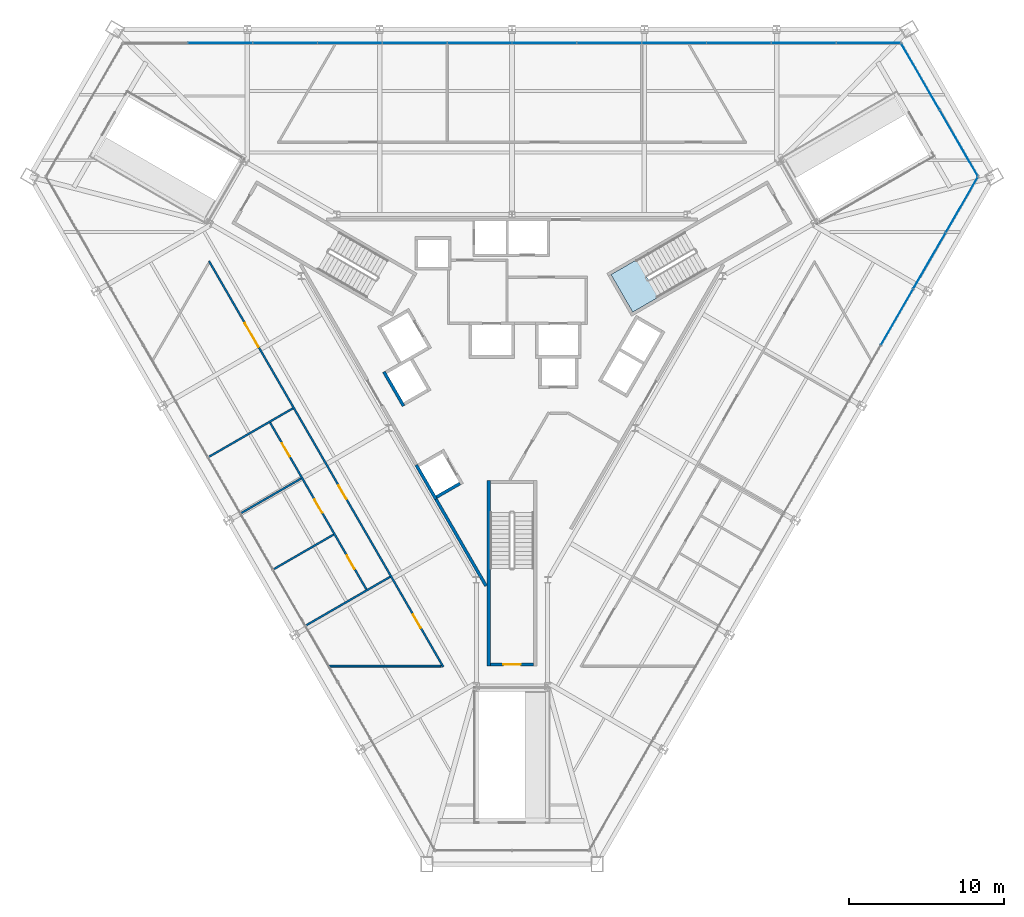
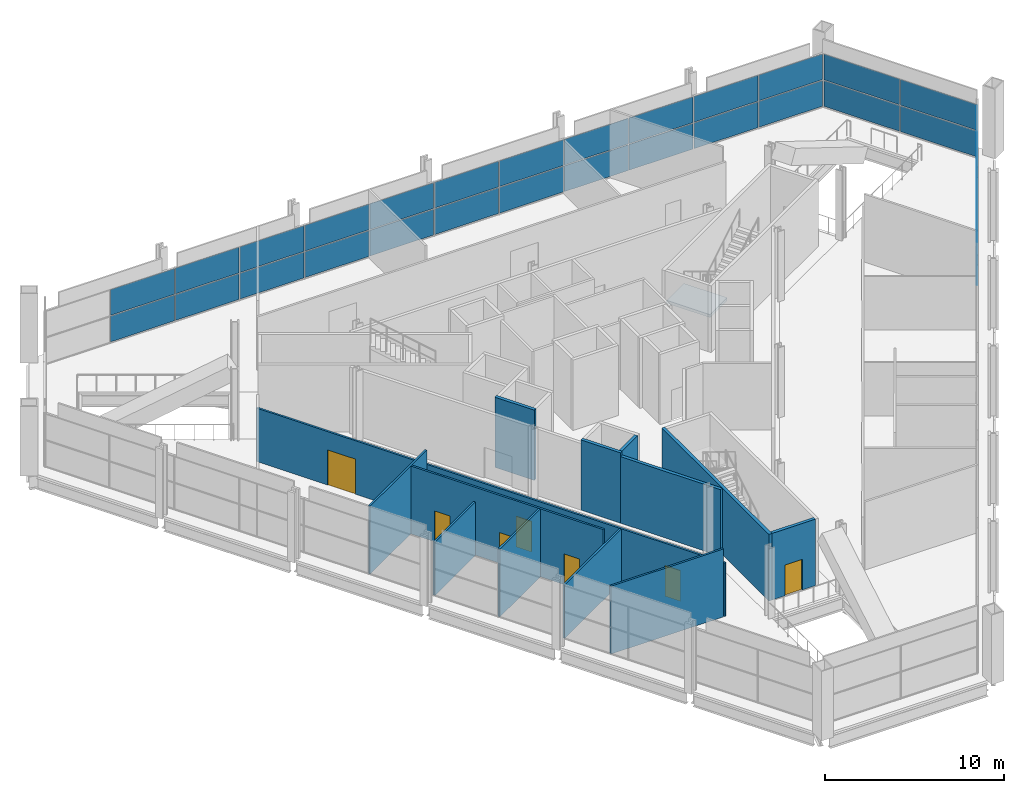
# One storey, part 12 of 18: 32 plates, 13 walls, 7 doors, 1 slab, 7 openings, 4 elements without a shape of their own.
"""IFC4 building model written with IfcOpenShell, lengths in metres."""

import ifcopenshell
import ifcopenshell.guid

model = None  # the IFC model being written
_history = None  # IfcOwnerHistory: only IFC2X3 demands one
_inside = {}  # id of a spatial element -> (the spatial element, [elements in it])
_under = {}  # id of a project, library or spatial element -> (it, [spatial elements below it])
_declared = {}  # id of a project -> (the project, [libraries it declares])
_typed = {}  # id of a type object -> (the type object, [elements of that type])
_made_of = {}  # id of a material, layer set ... -> (it, [elements and type objects made of it])


def new_model(schema):
    """Start an empty IFC model of exactly this schema.

    Asked for "IFC4X3", IfcOpenShell would pick the latest addendum, in which some entities
    have other attributes; the version numbers below select the first issue.
    IFC2X3 requires an IfcOwnerHistory on every rooted entity: one is made here for all.
    """
    global model, _history
    if schema == "IFC4X3":
        model = ifcopenshell.file(schema_version=(4, 3, 0, 0))
    else:
        model = ifcopenshell.file(schema=schema)
    _inside.clear()
    _under.clear()
    _declared.clear()
    _typed.clear()
    _made_of.clear()
    _history = None
    if model.schema == "IFC2X3":
        org = make("IfcOrganization", Name="unknown")
        user = make(
            "IfcPersonAndOrganization",
            ThePerson=make("IfcPerson", FamilyName="unknown"),
            TheOrganization=org,
        )
        app = make(
            "IfcApplication",
            ApplicationDeveloper=org,
            Version="unknown",
            ApplicationFullName="unknown",
            ApplicationIdentifier="unknown",
        )
        _history = make(
            "IfcOwnerHistory",
            OwningUser=user,
            OwningApplication=app,
            ChangeAction="ADDED",
            CreationDate=0,
        )
    return model


def make(cls, **values):
    """One entity of the class cls with the attributes given. An attribute that is None is left unset."""
    return model.create_entity(
        cls, **{name: value for name, value in values.items() if value is not None}
    )


def rooted(cls, **values):
    """An entity with a GlobalId (a new one), such as an element, a storey or a relation."""
    return make(cls, GlobalId=ifcopenshell.guid.new(), OwnerHistory=_history, **values)


def si_unit(unit_type, name, prefix=None):
    """IfcSIUnit, for example si_unit("LENGTHUNIT", "METRE", prefix="MILLI")."""
    return make("IfcSIUnit", UnitType=unit_type, Prefix=prefix, Name=name)


def assignment(units):
    """IfcUnitAssignment: the units of a project."""
    return None if units is None else make("IfcUnitAssignment", Units=units)


def point(xyz):
    """IfcCartesianPoint."""
    return None if xyz is None else make("IfcCartesianPoint", Coordinates=xyz)


def direction(xyz):
    """IfcDirection."""
    return None if xyz is None else make("IfcDirection", DirectionRatios=xyz)


def frame(location, z_axis=None, x_axis=None):
    """IfcAxis2Placement3D, a coordinate frame: its origin and axes. An axis left out is left unset."""
    return make(
        "IfcAxis2Placement3D",
        Location=point(location),
        Axis=direction(z_axis),
        RefDirection=direction(x_axis),
    )


def frame_2d(location, x_axis=None):
    """IfcAxis2Placement2D, a coordinate frame in the plane: its origin and x axis."""
    return make(
        "IfcAxis2Placement2D", Location=point(location), RefDirection=direction(x_axis)
    )


def origin():
    """The frame at (0, 0, 0) with its axes left unset."""
    return frame((0.0, 0.0, 0.0))


def origin_2d():
    """The frame at (0, 0) in the plane with its x axis left unset."""
    return frame_2d((0.0, 0.0))


def place(relative_to, where):
    """IfcLocalPlacement: puts the frame where relative to a parent placement (None: the world)."""
    return make(
        "IfcLocalPlacement", PlacementRelTo=relative_to, RelativePlacement=where
    )


def context(
    kind, dimensions, precision=None, world=None, true_north=None, identifier=None
):
    """IfcGeometricRepresentationContext, for example the 3D "Model" context."""
    return make(
        "IfcGeometricRepresentationContext",
        ContextIdentifier=identifier,
        ContextType=kind,
        CoordinateSpaceDimension=dimensions,
        Precision=precision,
        WorldCoordinateSystem=world,
        TrueNorth=true_north,
    )


def subcontext(parent, identifier, kind, view, scale=None):
    """IfcGeometricRepresentationSubContext, for example "Body" below "Model"."""
    return make(
        "IfcGeometricRepresentationSubContext",
        ContextIdentifier=identifier,
        ContextType=kind,
        ParentContext=parent,
        TargetScale=scale,
        TargetView=view,
    )


def project(units=None, contexts=None):
    """IfcProject with its units and contexts."""
    return rooted(
        "IfcProject",
        Name="project",
        RepresentationContexts=contexts,
        UnitsInContext=assignment(units),
    )


def spatial(cls, under=None, at=None, **own):
    """A site, building, storey or space (cls), placed at a placement, below another one or the project."""
    s = rooted(cls, ObjectPlacement=at, **own)
    if under is not None:
        _under.setdefault(under.id(), (under, []))[1].append(s)
    return s


def polyline(points):
    """IfcPolyline through the points."""
    return make("IfcPolyline", Points=[point(p) for p in points])


def profile(cls, at=None, kind="AREA", **sizes):
    """A parametric profile (cls). Its sizes go by their IFC names, for example OverallWidth=200.0."""
    return make(cls, ProfileType=kind, Position=at, **sizes)


def rectangle(**sizes):
    """IfcRectangleProfileDef."""
    return profile("IfcRectangleProfileDef", **sizes)


def outline(outer, holes=None, kind="AREA"):
    """IfcArbitraryClosedProfileDef: a profile drawn as a closed curve; with holes, ...WithVoids."""
    if holes is None:
        return make("IfcArbitraryClosedProfileDef", ProfileType=kind, OuterCurve=outer)
    return make(
        "IfcArbitraryProfileDefWithVoids",
        ProfileType=kind,
        OuterCurve=outer,
        InnerCurves=holes,
    )


def extrude(swept, where, along, depth):
    """IfcExtrudedAreaSolid: the profile swept, set in the frame where, extruded along a direction by depth."""
    return make(
        "IfcExtrudedAreaSolid",
        SweptArea=swept,
        Position=where,
        ExtrudedDirection=direction(along),
        Depth=depth,
    )


def shape(context_of_items, identifier, shape_type, items):
    """IfcShapeRepresentation: the items that make up one representation, for example the "Body"."""
    return make(
        "IfcShapeRepresentation",
        ContextOfItems=context_of_items,
        RepresentationIdentifier=identifier,
        RepresentationType=shape_type,
        Items=items,
    )


def material(Name=None, Category=None):
    """IfcMaterial."""
    return make("IfcMaterial", Name=Name, Category=Category)


def layer(
    of_material, thickness, ventilated=None, Name=None, Category=None, Priority=None
):
    """IfcMaterialLayer: one layer of a wall or slab, of a material (None: an air gap)."""
    return make(
        "IfcMaterialLayer",
        Material=of_material,
        LayerThickness=thickness,
        IsVentilated=ventilated,
        Name=Name,
        Category=Category,
        Priority=Priority,
    )


def layer_set(layers, Name=None):
    """IfcMaterialLayerSet."""
    return make("IfcMaterialLayerSet", MaterialLayers=layers, LayerSetName=Name)


def made_of(thing, what):
    """Note that an element or type object is made of a material, layer set ...; save() writes the relation."""
    if what is not None:
        _made_of.setdefault(what.id(), (what, []))[1].append(thing)
    return thing


def type_object(cls, material=None, **own):
    """A type object (cls), such as IfcWallType, which elements share."""
    return made_of(rooted(cls, **own), material)


def element(
    cls,
    number,
    at=None,
    inside=None,
    cuts=None,
    type_object=None,
    material=None,
    context=None,
    identifier="Body",
    shape_type=None,
    held_by="IfcProductDefinitionShape",
    body=None,
    shapes=None,
    **own,
):
    """One element of the class cls, such as IfcWall. Its Tag is "e" and its number.

    at: its placement. inside: the storey or other place that contains it. cuts: it is an
    opening in that element (IfcRelVoidsElement). A single representation is given by context,
    identifier, shape_type and body (its items); several are given by shapes. held_by: the class
    of the entity that holds the representations. save() writes the other relations.
    """
    e = rooted(cls, Tag="e%d" % number, ObjectPlacement=at, **own)
    if body is not None:
        shapes = [shape(context, identifier, shape_type, body)]
    if shapes is not None:
        e.Representation = make(held_by, Representations=shapes)
    if inside is not None:
        _inside.setdefault(inside.id(), (inside, []))[1].append(e)
    if cuts is not None:
        rooted(
            "IfcRelVoidsElement", RelatingBuildingElement=cuts, RelatedOpeningElement=e
        )
    if type_object is not None:
        _typed.setdefault(type_object.id(), (type_object, []))[1].append(e)
    return made_of(e, material)


def fill(opening, filler):
    """IfcRelFillsElement: the door or window that sits in an opening."""
    return rooted(
        "IfcRelFillsElement",
        RelatingOpeningElement=opening,
        RelatedBuildingElement=filler,
    )


def aggregate(whole, parts):
    """IfcRelAggregates: a whole, such as a stair, and the parts it consists of."""
    return rooted("IfcRelAggregates", RelatingObject=whole, RelatedObjects=parts)


def save(model, path):
    """Write the relations noted so far, then the file.

    IfcRelAggregates (storeys below a building ...), IfcRelContainedInSpatialStructure (elements
    in a storey), IfcRelDefinesByType, IfcRelAssociatesMaterial and IfcRelDeclares: one each for
    every whole, place, type object, material and project.
    """
    for whole, parts in _under.values():
        aggregate(whole, parts)
    for where, things in _inside.values():
        rooted(
            "IfcRelContainedInSpatialStructure",
            RelatedElements=things,
            RelatingStructure=where,
        )
    for kind, things in _typed.values():
        rooted("IfcRelDefinesByType", RelatedObjects=things, RelatingType=kind)
    for what, things in _made_of.values():
        rooted("IfcRelAssociatesMaterial", RelatedObjects=things, RelatingMaterial=what)
    for by, libraries in _declared.values():
        rooted("IfcRelDeclares", RelatingContext=by, RelatedDefinitions=libraries)
    model.write(path)


model = new_model("IFC4")

# Units and contexts
model_context = context("Model", 3, precision=1e-05, world=origin(), true_north=direction((0.0, 1.0)))
body_context = subcontext(model_context, "Body", "Model", "MODEL_VIEW")
ifc_project = project(units=[si_unit("LENGTHUNIT", "METRE"), si_unit("AREAUNIT", "SQUARE_METRE"), si_unit("VOLUMEUNIT", "CUBIC_METRE"), si_unit("PLANEANGLEUNIT", "RADIAN"), si_unit("MASSUNIT", "GRAM", prefix="KILO")], contexts=[model_context])

# Site, building, storey
site_placement = place(None, origin())
site = spatial("IfcSite", under=ifc_project, at=site_placement, CompositionType="ELEMENT")
building_placement = place(site_placement, origin())
building = spatial("IfcBuilding", under=site, at=building_placement, Name="Verrane Prism Tower", CompositionType="ELEMENT")
storey_placement = place(building_placement, frame((0.0, 0.0, 27.199951171875)))
storey = spatial("IfcBuildingStorey", under=building, at=storey_placement, Name="L04", CompositionType="ELEMENT", Elevation=27.199951171875)

# Curtain wall, plates
ifc_material_1 = material(Name="Aluminium and glass curtain wall", Category="aluminium")
ifc_layer_1 = layer(ifc_material_1, 0.199951171875)
ifc_layer_set_1 = layer_set([ifc_layer_1], Name="CWB-1 retail curtain wall")
curtain_wall_type = type_object("IfcCurtainWallType", Name="CWB-1 retail curtain wall", PredefinedType="NOTDEFINED", material=ifc_layer_set_1)
curtain_wall_1_placement = place(storey_placement, origin())
curtain_wall_1 = element("IfcCurtainWall", 1, at=curtain_wall_1_placement, inside=storey, type_object=curtain_wall_type, Name="Retail curtain wall L04 1", PredefinedType="NOTDEFINED")
ifc_material_2 = material(Name="Glass double glazed low-e", Category="glass")
ifc_layer_2 = layer(ifc_material_2, 0.028076171875)
ifc_layer_set_2 = layer_set([ifc_layer_2], Name="CWB-P 28 mm low-e glass panel")
plate_type = type_object("IfcPlateType", Name="CWB-P 28 mm low-e glass panel", PredefinedType="CURTAIN_PANEL", material=ifc_layer_set_2)
plate_1_placement = place(storey_placement, frame((28.875732421875, 13.813232421875, 0.06005859375), z_axis=(0.0, 0.0, 1.0), x_axis=(-0.499999190758, 0.866025871, 0.0)))
plate_1 = element("IfcPlate", 2, at=plate_1_placement, type_object=plate_type, Name="CWB41 panel 1.1", PredefinedType="CURTAIN_PANEL", context=body_context, shape_type="SweptSolid", body=[
    extrude(rectangle(XDim=4.890380859375, YDim=0.028076171875, at=origin_2d()), origin(), (0.0, 0.0, 1.0), 1.7548828125),
])
plate_2_placement = place(storey_placement, frame((28.875732421875, 13.813232421875, 1.875), z_axis=(0.0, 0.0, 1.0), x_axis=(-0.499999190758, 0.866025871, 0.0)))
plate_2 = element("IfcPlate", 3, at=plate_2_placement, type_object=plate_type, Name="CWB41 panel 1.2", PredefinedType="CURTAIN_PANEL", context=body_context, shape_type="SweptSolid", body=[
    extrude(rectangle(XDim=4.890380859375, YDim=0.028076171875, at=origin_2d()), origin(), (0.0, 0.0, 1.0), 1.7548828125),
])
plate_3_placement = place(storey_placement, frame((26.400390625, 18.100341796875, 0.06005859375), z_axis=(0.0, 0.0, 1.0), x_axis=(-0.499999190758, 0.866025871, 0.0)))
plate_3 = element("IfcPlate", 4, at=plate_3_placement, type_object=plate_type, Name="CWB41 panel 2.1", PredefinedType="CURTAIN_PANEL", context=body_context, shape_type="SweptSolid", body=[
    extrude(rectangle(XDim=4.890380859375, YDim=0.028076171875, at=origin_2d()), origin(), (0.0, 0.0, 1.0), 1.7548828125),
])
plate_4_placement = place(storey_placement, frame((26.400390625, 18.100341796875, 1.875), z_axis=(0.0, 0.0, 1.0), x_axis=(-0.499999190758, 0.866025871, 0.0)))
plate_4 = element("IfcPlate", 5, at=plate_4_placement, type_object=plate_type, Name="CWB41 panel 2.2", PredefinedType="CURTAIN_PANEL", context=body_context, shape_type="SweptSolid", body=[
    extrude(rectangle(XDim=4.890380859375, YDim=0.028076171875, at=origin_2d()), origin(), (0.0, 0.0, 1.0), 1.7548828125),
])
aggregate(curtain_wall_1, [plate_1, plate_2, plate_3, plate_4])

curtain_wall_2_placement = place(storey_placement, origin())
curtain_wall_2 = element("IfcCurtainWall", 6, at=curtain_wall_2_placement, inside=storey, type_object=curtain_wall_type, Name="Retail curtain wall L04 2", PredefinedType="NOTDEFINED")
plate_5_placement = place(storey_placement, frame((23.037109375, 20.27001953125, 0.06005859375), z_axis=(0.0, 0.0, 1.0), x_axis=(-1.0, 0.0, 0.0)))
plate_5 = element("IfcPlate", 7, at=plate_5_placement, type_object=plate_type, Name="CWB42 panel 1.1", PredefinedType="CURTAIN_PANEL", context=body_context, shape_type="SweptSolid", body=[
    extrude(rectangle(XDim=4.101318359375, YDim=0.028076171875, at=origin_2d()), origin(), (0.0, 0.0, 1.0), 1.7548828125),
])
plate_6_placement = place(storey_placement, frame((23.037109375, 20.27001953125, 1.875), z_axis=(0.0, 0.0, 1.0), x_axis=(-1.0, 0.0, 0.0)))
plate_6 = element("IfcPlate", 8, at=plate_6_placement, type_object=plate_type, Name="CWB42 panel 1.2", PredefinedType="CURTAIN_PANEL", context=body_context, shape_type="SweptSolid", body=[
    extrude(rectangle(XDim=4.101318359375, YDim=0.028076171875, at=origin_2d()), origin(), (0.0, 0.0, 1.0), 1.7548828125),
])
plate_7_placement = place(storey_placement, frame((18.86083984375, 20.27001953125, 0.06005859375), z_axis=(0.0, 0.0, 1.0), x_axis=(-1.0, 0.0, 0.0)))
plate_7 = element("IfcPlate", 9, at=plate_7_placement, type_object=plate_type, Name="CWB42 panel 2.1", PredefinedType="CURTAIN_PANEL", context=body_context, shape_type="SweptSolid", body=[
    extrude(rectangle(XDim=4.13134765625, YDim=0.028076171875, at=origin_2d()), origin(), (0.0, 0.0, 1.0), 1.7548828125),
])
plate_8_placement = place(storey_placement, frame((18.86083984375, 20.27001953125, 1.875), z_axis=(0.0, 0.0, 1.0), x_axis=(-1.0, 0.0, 0.0)))
plate_8 = element("IfcPlate", 10, at=plate_8_placement, type_object=plate_type, Name="CWB42 panel 2.2", PredefinedType="CURTAIN_PANEL", context=body_context, shape_type="SweptSolid", body=[
    extrude(rectangle(XDim=4.13134765625, YDim=0.028076171875, at=origin_2d()), origin(), (0.0, 0.0, 1.0), 1.7548828125),
])
plate_9_placement = place(storey_placement, frame((14.669677734375, 20.27001953125, 0.06005859375), z_axis=(0.0, 0.0, 1.0), x_axis=(-1.0, 0.0, 0.0)))
plate_9 = element("IfcPlate", 11, at=plate_9_placement, type_object=plate_type, Name="CWB42 panel 3.1", PredefinedType="CURTAIN_PANEL", context=body_context, shape_type="SweptSolid", body=[
    extrude(rectangle(XDim=4.13134765625, YDim=0.028076171875, at=origin_2d()), origin(), (0.0, 0.0, 1.0), 1.7548828125),
])
plate_10_placement = place(storey_placement, frame((14.669677734375, 20.27001953125, 1.875), z_axis=(0.0, 0.0, 1.0), x_axis=(-1.0, 0.0, 0.0)))
plate_10 = element("IfcPlate", 12, at=plate_10_placement, type_object=plate_type, Name="CWB42 panel 3.2", PredefinedType="CURTAIN_PANEL", context=body_context, shape_type="SweptSolid", body=[
    extrude(rectangle(XDim=4.13134765625, YDim=0.028076171875, at=origin_2d()), origin(), (0.0, 0.0, 1.0), 1.7548828125),
])
plate_11_placement = place(storey_placement, frame((10.478271484375, 20.27001953125, 0.06005859375), z_axis=(0.0, 0.0, 1.0), x_axis=(-1.0, 0.0, 0.0)))
plate_11 = element("IfcPlate", 13, at=plate_11_placement, type_object=plate_type, Name="CWB42 panel 4.1", PredefinedType="CURTAIN_PANEL", context=body_context, shape_type="SweptSolid", body=[
    extrude(rectangle(XDim=4.13134765625, YDim=0.028076171875, at=origin_2d()), origin(), (0.0, 0.0, 1.0), 1.7548828125),
])
plate_12_placement = place(storey_placement, frame((10.478271484375, 20.27001953125, 1.875), z_axis=(0.0, 0.0, 1.0), x_axis=(-1.0, 0.0, 0.0)))
plate_12 = element("IfcPlate", 14, at=plate_12_placement, type_object=plate_type, Name="CWB42 panel 4.2", PredefinedType="CURTAIN_PANEL", context=body_context, shape_type="SweptSolid", body=[
    extrude(rectangle(XDim=4.13134765625, YDim=0.028076171875, at=origin_2d()), origin(), (0.0, 0.0, 1.0), 1.7548828125),
])
plate_13_placement = place(storey_placement, frame((6.286865234375, 20.27001953125, 0.06005859375), z_axis=(0.0, 0.0, 1.0), x_axis=(-1.0, 0.0, 0.0)))
plate_13 = element("IfcPlate", 15, at=plate_13_placement, type_object=plate_type, Name="CWB42 panel 5.1", PredefinedType="CURTAIN_PANEL", context=body_context, shape_type="SweptSolid", body=[
    extrude(rectangle(XDim=4.13134765625, YDim=0.028076171875, at=origin_2d()), origin(), (0.0, 0.0, 1.0), 1.7548828125),
])
plate_14_placement = place(storey_placement, frame((6.286865234375, 20.27001953125, 1.875), z_axis=(0.0, 0.0, 1.0), x_axis=(-1.0, 0.0, 0.0)))
plate_14 = element("IfcPlate", 16, at=plate_14_placement, type_object=plate_type, Name="CWB42 panel 5.2", PredefinedType="CURTAIN_PANEL", context=body_context, shape_type="SweptSolid", body=[
    extrude(rectangle(XDim=4.13134765625, YDim=0.028076171875, at=origin_2d()), origin(), (0.0, 0.0, 1.0), 1.7548828125),
])
plate_15_placement = place(storey_placement, frame((2.095703125, 20.27001953125, 0.06005859375), z_axis=(0.0, 0.0, 1.0), x_axis=(-1.0, 0.0, 0.0)))
plate_15 = element("IfcPlate", 17, at=plate_15_placement, type_object=plate_type, Name="CWB42 panel 6.1", PredefinedType="CURTAIN_PANEL", context=body_context, shape_type="SweptSolid", body=[
    extrude(rectangle(XDim=4.13134765625, YDim=0.028076171875, at=origin_2d()), origin(), (0.0, 0.0, 1.0), 1.7548828125),
])
plate_16_placement = place(storey_placement, frame((2.095703125, 20.27001953125, 1.875), z_axis=(0.0, 0.0, 1.0), x_axis=(-1.0, 0.0, 0.0)))
plate_16 = element("IfcPlate", 18, at=plate_16_placement, type_object=plate_type, Name="CWB42 panel 6.2", PredefinedType="CURTAIN_PANEL", context=body_context, shape_type="SweptSolid", body=[
    extrude(rectangle(XDim=4.13134765625, YDim=0.028076171875, at=origin_2d()), origin(), (0.0, 0.0, 1.0), 1.7548828125),
])
plate_17_placement = place(storey_placement, frame((-2.095703125, 20.27001953125, 0.06005859375), z_axis=(0.0, 0.0, 1.0), x_axis=(-1.0, 0.0, 0.0)))
plate_17 = element("IfcPlate", 19, at=plate_17_placement, type_object=plate_type, Name="CWB42 panel 7.1", PredefinedType="CURTAIN_PANEL", context=body_context, shape_type="SweptSolid", body=[
    extrude(rectangle(XDim=4.13134765625, YDim=0.028076171875, at=origin_2d()), origin(), (0.0, 0.0, 1.0), 1.7548828125),
])
plate_18_placement = place(storey_placement, frame((-2.095703125, 20.27001953125, 1.875), z_axis=(0.0, 0.0, 1.0), x_axis=(-1.0, 0.0, 0.0)))
plate_18 = element("IfcPlate", 20, at=plate_18_placement, type_object=plate_type, Name="CWB42 panel 7.2", PredefinedType="CURTAIN_PANEL", context=body_context, shape_type="SweptSolid", body=[
    extrude(rectangle(XDim=4.13134765625, YDim=0.028076171875, at=origin_2d()), origin(), (0.0, 0.0, 1.0), 1.7548828125),
])
plate_19_placement = place(storey_placement, frame((-6.286865234375, 20.27001953125, 0.06005859375), z_axis=(0.0, 0.0, 1.0), x_axis=(-1.0, 0.0, 0.0)))
plate_19 = element("IfcPlate", 21, at=plate_19_placement, type_object=plate_type, Name="CWB42 panel 8.1", PredefinedType="CURTAIN_PANEL", context=body_context, shape_type="SweptSolid", body=[
    extrude(rectangle(XDim=4.13134765625, YDim=0.028076171875, at=origin_2d()), origin(), (0.0, 0.0, 1.0), 1.7548828125),
])
plate_20_placement = place(storey_placement, frame((-6.286865234375, 20.27001953125, 1.875), z_axis=(0.0, 0.0, 1.0), x_axis=(-1.0, 0.0, 0.0)))
plate_20 = element("IfcPlate", 22, at=plate_20_placement, type_object=plate_type, Name="CWB42 panel 8.2", PredefinedType="CURTAIN_PANEL", context=body_context, shape_type="SweptSolid", body=[
    extrude(rectangle(XDim=4.13134765625, YDim=0.028076171875, at=origin_2d()), origin(), (0.0, 0.0, 1.0), 1.7548828125),
])
plate_21_placement = place(storey_placement, frame((-10.478271484375, 20.27001953125, 0.06005859375), z_axis=(0.0, 0.0, 1.0), x_axis=(-1.0, 0.0, 0.0)))
plate_21 = element("IfcPlate", 23, at=plate_21_placement, type_object=plate_type, Name="CWB42 panel 9.1", PredefinedType="CURTAIN_PANEL", context=body_context, shape_type="SweptSolid", body=[
    extrude(rectangle(XDim=4.13134765625, YDim=0.028076171875, at=origin_2d()), origin(), (0.0, 0.0, 1.0), 1.7548828125),
])
plate_22_placement = place(storey_placement, frame((-10.478271484375, 20.27001953125, 1.875), z_axis=(0.0, 0.0, 1.0), x_axis=(-1.0, 0.0, 0.0)))
plate_22 = element("IfcPlate", 24, at=plate_22_placement, type_object=plate_type, Name="CWB42 panel 9.2", PredefinedType="CURTAIN_PANEL", context=body_context, shape_type="SweptSolid", body=[
    extrude(rectangle(XDim=4.13134765625, YDim=0.028076171875, at=origin_2d()), origin(), (0.0, 0.0, 1.0), 1.7548828125),
])
plate_23_placement = place(storey_placement, frame((-14.669677734375, 20.27001953125, 0.06005859375), z_axis=(0.0, 0.0, 1.0), x_axis=(-1.0, 0.0, 0.0)))
plate_23 = element("IfcPlate", 25, at=plate_23_placement, type_object=plate_type, Name="CWB42 panel 10.1", PredefinedType="CURTAIN_PANEL", context=body_context, shape_type="SweptSolid", body=[
    extrude(rectangle(XDim=4.13134765625, YDim=0.028076171875, at=origin_2d()), origin(), (0.0, 0.0, 1.0), 1.7548828125),
])
plate_24_placement = place(storey_placement, frame((-14.669677734375, 20.27001953125, 1.875), z_axis=(0.0, 0.0, 1.0), x_axis=(-1.0, 0.0, 0.0)))
plate_24 = element("IfcPlate", 26, at=plate_24_placement, type_object=plate_type, Name="CWB42 panel 10.2", PredefinedType="CURTAIN_PANEL", context=body_context, shape_type="SweptSolid", body=[
    extrude(rectangle(XDim=4.13134765625, YDim=0.028076171875, at=origin_2d()), origin(), (0.0, 0.0, 1.0), 1.7548828125),
])
plate_25_placement = place(storey_placement, frame((-18.86083984375, 20.27001953125, 0.06005859375), z_axis=(0.0, 0.0, 1.0), x_axis=(-1.0, 0.0, 0.0)))
plate_25 = element("IfcPlate", 27, at=plate_25_placement, type_object=plate_type, Name="CWB42 panel 11.1", PredefinedType="CURTAIN_PANEL", context=body_context, shape_type="SweptSolid", body=[
    extrude(rectangle(XDim=4.13134765625, YDim=0.028076171875, at=origin_2d()), origin(), (0.0, 0.0, 1.0), 1.7548828125),
])
plate_26_placement = place(storey_placement, frame((-18.86083984375, 20.27001953125, 1.875), z_axis=(0.0, 0.0, 1.0), x_axis=(-1.0, 0.0, 0.0)))
plate_26 = element("IfcPlate", 28, at=plate_26_placement, type_object=plate_type, Name="CWB42 panel 11.2", PredefinedType="CURTAIN_PANEL", context=body_context, shape_type="SweptSolid", body=[
    extrude(rectangle(XDim=4.13134765625, YDim=0.028076171875, at=origin_2d()), origin(), (0.0, 0.0, 1.0), 1.7548828125),
])
aggregate(curtain_wall_2, [plate_5, plate_6, plate_7, plate_8, plate_9, plate_10, plate_11, plate_12, plate_13, plate_14, plate_15, plate_16, plate_17, plate_18, plate_19, plate_20, plate_21, plate_22, plate_23, plate_24, plate_25, plate_26])

curtain_wall_3_placement = place(storey_placement, origin())
curtain_wall_3 = element("IfcCurtainWall", 29, at=curtain_wall_3_placement, inside=storey, type_object=curtain_wall_type, Name="Retail curtain wall L04 6", PredefinedType="NOTDEFINED")
plate_27_placement = place(storey_placement, frame((24.88916015625, 2.5693359375, 0.06005859375), z_axis=(0.0, 0.0, 1.0), x_axis=(0.50000011897, 0.866025335097, 0.0)))
plate_27 = element("IfcPlate", 30, at=plate_27_placement, type_object=plate_type, Name="CWB46 panel 10.1", PredefinedType="CURTAIN_PANEL", context=body_context, shape_type="SweptSolid", body=[
    extrude(rectangle(XDim=4.13134765625, YDim=0.028076171875, at=origin_2d()), origin(), (0.0, 0.0, 1.0), 1.7548828125),
])
plate_28_placement = place(storey_placement, frame((24.88916015625, 2.5693359375, 1.875), z_axis=(0.0, 0.0, 1.0), x_axis=(0.50000011897, 0.866025335097, 0.0)))
plate_28 = element("IfcPlate", 31, at=plate_28_placement, type_object=plate_type, Name="CWB46 panel 10.2", PredefinedType="CURTAIN_PANEL", context=body_context, shape_type="SweptSolid", body=[
    extrude(rectangle(XDim=4.13134765625, YDim=0.028076171875, at=origin_2d()), origin(), (0.0, 0.0, 1.0), 1.7548828125),
])
plate_29_placement = place(storey_placement, frame((26.98486328125, 6.198974609375, 0.06005859375), z_axis=(0.0, 0.0, 1.0), x_axis=(0.50000011897, 0.866025335097, 0.0)))
plate_29 = element("IfcPlate", 32, at=plate_29_placement, type_object=plate_type, Name="CWB46 panel 11.1", PredefinedType="CURTAIN_PANEL", context=body_context, shape_type="SweptSolid", body=[
    extrude(rectangle(XDim=4.13134765625, YDim=0.028076171875, at=origin_2d()), origin(), (0.0, 0.0, 1.0), 1.7548828125),
])
plate_30_placement = place(storey_placement, frame((26.98486328125, 6.198974609375, 1.875), z_axis=(0.0, 0.0, 1.0), x_axis=(0.50000011897, 0.866025335097, 0.0)))
plate_30 = element("IfcPlate", 33, at=plate_30_placement, type_object=plate_type, Name="CWB46 panel 11.2", PredefinedType="CURTAIN_PANEL", context=body_context, shape_type="SweptSolid", body=[
    extrude(rectangle(XDim=4.13134765625, YDim=0.028076171875, at=origin_2d()), origin(), (0.0, 0.0, 1.0), 1.7548828125),
])
plate_31_placement = place(storey_placement, frame((29.072998046875, 9.81591796875, 0.06005859375), z_axis=(0.0, 0.0, 1.0), x_axis=(0.50000011897, 0.866025335097, 0.0)))
plate_31 = element("IfcPlate", 34, at=plate_31_placement, type_object=plate_type, Name="CWB46 panel 12.1", PredefinedType="CURTAIN_PANEL", context=body_context, shape_type="SweptSolid", body=[
    extrude(rectangle(XDim=4.101318359375, YDim=0.028076171875, at=origin_2d()), origin(), (0.0, 0.0, 1.0), 1.7548828125),
])
plate_32_placement = place(storey_placement, frame((29.072998046875, 9.81591796875, 1.875), z_axis=(0.0, 0.0, 1.0), x_axis=(0.50000011897, 0.866025335097, 0.0)))
plate_32 = element("IfcPlate", 35, at=plate_32_placement, type_object=plate_type, Name="CWB46 panel 12.2", PredefinedType="CURTAIN_PANEL", context=body_context, shape_type="SweptSolid", body=[
    extrude(rectangle(XDim=4.101318359375, YDim=0.028076171875, at=origin_2d()), origin(), (0.0, 0.0, 1.0), 1.7548828125),
])
aggregate(curtain_wall_3, [plate_27, plate_28, plate_29, plate_30, plate_31, plate_32])

# Stair, slab
ifc_material_3 = material(Name="Concrete C40/50", Category="concrete")
stair_type = type_object("IfcStairType", Name="Exit stair 1300 dog-leg precast concrete C40/50", PredefinedType="HALF_TURN_STAIR", material=ifc_material_3)
stair_placement = place(storey_placement, origin())
stair = element("IfcStair", 36, at=stair_placement, inside=storey, type_object=stair_type, Name="Stair 1 L04", PredefinedType="HALF_TURN_STAIR")
ifc_material_4 = material(Name="Concrete C40/50", Category="concrete")
ifc_layer_3 = layer(ifc_material_4, 0.199951171875)
ifc_layer_set_3 = layer_set([ifc_layer_3], Name="Stair landing 200 precast concrete C40/50")
slab_type = type_object("IfcSlabType", Name="Stair landing 200 precast concrete C40/50", PredefinedType="LANDING", material=ifc_layer_set_3)
slab_placement = place(storey_placement, frame((0.0, 0.0, 2.199951171875)))
slab = element("IfcSlab", 37, at=slab_placement, type_object=slab_type, Name="Stair 1 landing 1", PredefinedType="LANDING", context=body_context, shape_type="SweptSolid", body=[
    extrude(outline(polyline([(8.064208984375, 6.2724609375), (6.4013671875, 5.3125), (7.801513671875, 2.887451171875), (9.464111328125, 3.84765625), (8.064208984375, 6.2724609375)])), origin(), (0.0, 0.0, 1.0), 0.2001953125),
])
aggregate(stair, [slab])

# Walls
ifc_material_5 = material(Name="Gypsum board partition", Category="other")
ifc_layer_4 = layer(ifc_material_5, 0.125)
ifc_layer_set_4 = layer_set([ifc_layer_4], Name="BW-125 plumbing wall")
wall_type_1 = type_object("IfcWallType", Name="BW-125 plumbing wall", PredefinedType="PARTITIONING", material=ifc_layer_set_4)
wall_1_placement = place(storey_placement, frame((-19.64990234375, -6.5048828125, 0.0), z_axis=(0.0, 0.0, 1.0), x_axis=(0.866003371142, 0.500038159714, 0.0)))
element("IfcWall", 38, at=wall_1_placement, inside=storey, type_object=wall_type_1, Name="Plumbing wall 002", PredefinedType="PARTITIONING", context=body_context, shape_type="SweptSolid", body=[
    extrude(rectangle(XDim=6.3369140625, YDim=0.125, at=frame_2d((3.16845703125, 0.0))), origin(), (0.0, 0.0, 1.0), 4.64013671875),
])
wall_2_placement = place(storey_placement, frame((-17.554931640625, -10.135009765625, 0.0), z_axis=(0.0, 0.0, 1.0), x_axis=(0.866026101152, 0.499998792122, 0.0)))
element("IfcWall", 39, at=wall_2_placement, inside=storey, type_object=wall_type_1, Name="Plumbing wall 004", PredefinedType="PARTITIONING", context=body_context, shape_type="SweptSolid", body=[
    extrude(rectangle(XDim=4.53759765625, YDim=0.125, at=frame_2d((2.268798828125, 0.0))), origin(), (0.0, 0.0, 1.0), 3.653076171875),
])

# Wall, openings, doors
wall_3_placement = place(storey_placement, frame((-9.412841796875, -15.03662109375, 0.0), z_axis=(0.0, 0.0, 1.0), x_axis=(-0.500033333293, 0.866006157943, 0.0)))
wall_3 = element("IfcWall", 40, at=wall_3_placement, inside=storey, type_object=wall_type_1, Name="Plumbing wall 005", PredefinedType="PARTITIONING", context=body_context, shape_type="SweptSolid", body=[
    extrude(rectangle(XDim=12.440185546875, YDim=0.125, at=frame_2d((6.22021484375, 0.0))), origin(), (0.0, 0.0, 1.0), 4.64013671875),
])
opening_1_placement = place(wall_3_placement, frame((9.907470703125, 0.0, 0.0)))
opening_1 = element("IfcOpeningElement", 41, at=opening_1_placement, cuts=wall_3, Name="Opening D04006", PredefinedType="OPENING", context=body_context, shape_type="SweptSolid", body=[
    extrude(rectangle(XDim=1.0, YDim=2.10009765625, at=frame_2d((0.5, 1.050048828125))), frame((0.0, 0.072509765625, 0.0), z_axis=(0.0, -1.0, 0.0), x_axis=(1.0, 0.0, 0.0)), (0.0, 0.0, 1.0), 0.14501953125),
])
opening_2_placement = place(wall_3_placement, frame((5.715576171875, 0.0, 0.0)))
opening_2 = element("IfcOpeningElement", 42, at=opening_2_placement, cuts=wall_3, Name="Opening D04007", PredefinedType="OPENING", context=body_context, shape_type="SweptSolid", body=[
    extrude(rectangle(XDim=1.0, YDim=2.10009765625, at=frame_2d((0.5, 1.050048828125))), frame((0.0, 0.072509765625, 0.0), z_axis=(0.0, -1.0, 0.0), x_axis=(1.0, 0.0, 0.0)), (0.0, 0.0, 1.0), 0.14501953125),
])
opening_3_placement = place(wall_3_placement, frame((1.5244140625, 0.0, 0.0)))
opening_3 = element("IfcOpeningElement", 43, at=opening_3_placement, cuts=wall_3, Name="Opening D04008", PredefinedType="OPENING", context=body_context, shape_type="SweptSolid", body=[
    extrude(rectangle(XDim=1.0, YDim=2.10009765625, at=frame_2d((0.5, 1.050048828125))), frame((0.0, 0.072509765625, 0.0), z_axis=(0.0, -1.0, 0.0), x_axis=(1.0, 0.0, 0.0)), (0.0, 0.0, 1.0), 0.14501953125),
])
ifc_material_6 = material(Name="Timber veneered door leaf", Category="wood")
door_type_1 = type_object("IfcDoorType", Name="DR-1000x2100 single leaf room", OperationType="NOTDEFINED", PredefinedType="DOOR", material=ifc_material_6)
door_1_placement = place(opening_1_placement, origin())
door_1 = element("IfcDoor", 44, at=door_1_placement, inside=storey, type_object=door_type_1, Name="Door Men's WC 04SW", OperationType="SINGLE_SWING_LEFT", OverallHeight=2.10009765625, OverallWidth=1.0, PredefinedType="DOOR", context=body_context, shape_type="SweptSolid", body=[
    extrude(rectangle(XDim=1.0, YDim=2.10009765625, at=frame_2d((0.5, 1.050048828125))), frame((0.0, 0.02490234375, 0.0), z_axis=(0.0, -1.0, 0.0), x_axis=(1.0, 0.0, 0.0)), (0.0, 0.0, 1.0), 0.050048828125),
])
fill(opening_1, door_1)
door_2_placement = place(opening_2_placement, origin())
door_2 = element("IfcDoor", 45, at=door_2_placement, inside=storey, type_object=door_type_1, Name="Door Women's WC 04SW", OperationType="SINGLE_SWING_RIGHT", OverallHeight=2.10009765625, OverallWidth=1.0, PredefinedType="DOOR", context=body_context, shape_type="SweptSolid", body=[
    extrude(rectangle(XDim=1.0, YDim=2.10009765625, at=frame_2d((0.5, 1.050048828125))), frame((0.0, 0.02490234375, 0.0), z_axis=(0.0, -1.0, 0.0), x_axis=(1.0, 0.0, 0.0)), (0.0, 0.0, 1.0), 0.050048828125),
])
fill(opening_2, door_2)
door_3_placement = place(opening_3_placement, origin())
door_3 = element("IfcDoor", 46, at=door_3_placement, inside=storey, type_object=door_type_1, Name="Door Accessible WC 04SW", OperationType="SINGLE_SWING_LEFT", OverallHeight=2.10009765625, OverallWidth=1.0, PredefinedType="DOOR", context=body_context, shape_type="SweptSolid", body=[
    extrude(rectangle(XDim=1.0, YDim=2.10009765625, at=frame_2d((0.5, 1.050048828125))), frame((0.0, 0.02490234375, 0.0), z_axis=(0.0, -1.0, 0.0), x_axis=(1.0, 0.0, 0.0)), (0.0, 0.0, 1.0), 0.050048828125),
])
fill(opening_3, door_3)

# Walls
wall_4_placement = place(storey_placement, frame((-15.458984375, -13.764892578125, 0.0), z_axis=(0.0, 0.0, 1.0), x_axis=(0.866062846671, 0.499935141409, 0.0)))
element("IfcWall", 47, at=wall_4_placement, inside=storey, type_object=wall_type_1, Name="Plumbing wall 006", PredefinedType="PARTITIONING", context=body_context, shape_type="SweptSolid", body=[
    extrude(rectangle(XDim=4.53759765625, YDim=0.125, at=frame_2d((2.268798828125, 0.0))), origin(), (0.0, 0.0, 1.0), 4.64013671875),
])
wall_5_placement = place(storey_placement, frame((-13.363037109375, -17.39501953125, 0.0), z_axis=(0.0, 0.0, 1.0), x_axis=(0.866003371142, 0.500038159714, 0.0)))
element("IfcWall", 48, at=wall_5_placement, inside=storey, type_object=wall_type_1, Name="Plumbing wall 009", PredefinedType="PARTITIONING", context=body_context, shape_type="SweptSolid", body=[
    extrude(rectangle(XDim=6.3369140625, YDim=0.125, at=frame_2d((3.16845703125, 0.0))), origin(), (0.0, 0.0, 1.0), 3.653076171875),
])

# Wall, openings, doors
ifc_material_7 = material(Name="Gypsum board partition", Category="other")
ifc_layer_5 = layer(ifc_material_7, 0.125)
ifc_layer_set_5 = layer_set([ifc_layer_5], Name="BW-125 shopfront wall 1 h")
wall_type_2 = type_object("IfcWallType", Name="BW-125 shopfront wall 1 h", PredefinedType="PARTITIONING", material=ifc_layer_set_5)
wall_6_placement = place(storey_placement, frame((-4.437744140625, -20.05419921875, 0.0), z_axis=(0.0, 0.0, 1.0), x_axis=(-0.499994028088, 0.866028851642, 0.0)))
wall_6 = element("IfcWall", 49, at=wall_6_placement, inside=storey, type_object=wall_type_2, Name="Shopfront wall 003", PredefinedType="PARTITIONING", context=body_context, shape_type="SweptSolid", body=[
    extrude(rectangle(XDim=30.297119140625, YDim=0.125, at=frame_2d((15.1484375, 0.0))), origin(), (0.0, 0.0, 1.0), 3.653076171875),
])
opening_4_placement = place(wall_6_placement, frame((23.884765625, 0.0, 0.0)))
opening_4 = element("IfcOpeningElement", 50, at=opening_4_placement, cuts=wall_6, Name="Opening D04004", PredefinedType="OPENING", context=body_context, shape_type="SweptSolid", body=[
    extrude(rectangle(XDim=1.800048828125, YDim=2.39990234375, at=frame_2d((0.89990234375, 1.199951171875))), frame((0.0, 0.072509765625, 0.0), z_axis=(0.0, -1.0, 0.0), x_axis=(1.0, 0.0, 0.0)), (0.0, 0.0, 1.0), 0.14501953125),
])
opening_5_placement = place(wall_6_placement, frame((12.540771484375, 0.0, 0.0)))
opening_5 = element("IfcOpeningElement", 51, at=opening_5_placement, cuts=wall_6, Name="Opening D04005", PredefinedType="OPENING", context=body_context, shape_type="SweptSolid", body=[
    extrude(rectangle(XDim=1.0, YDim=2.10009765625, at=frame_2d((0.5, 1.050048828125))), frame((0.0, 0.072509765625, 0.0), z_axis=(0.0, -1.0, 0.0), x_axis=(1.0, 0.0, 0.0)), (0.0, 0.0, 1.0), 0.14501953125),
])
opening_6_placement = place(wall_6_placement, frame((2.915771484375, 0.0, 0.0)))
opening_6 = element("IfcOpeningElement", 52, at=opening_6_placement, cuts=wall_6, Name="Opening D04009", PredefinedType="OPENING", context=body_context, shape_type="SweptSolid", body=[
    extrude(rectangle(XDim=1.0, YDim=2.10009765625, at=frame_2d((0.5, 1.050048828125))), frame((0.0, 0.072509765625, 0.0), z_axis=(0.0, -1.0, 0.0), x_axis=(1.0, 0.0, 0.0)), (0.0, 0.0, 1.0), 0.14501953125),
])
ifc_material_8 = material(Name="Timber veneered door leaf", Category="wood")
door_type_2 = type_object("IfcDoorType", Name="DR-1000x2100 FD20 single leaf shopfront", OperationType="NOTDEFINED", PredefinedType="DOOR", material=ifc_material_8)
door_4_placement = place(opening_6_placement, origin())
door_4 = element("IfcDoor", 53, at=door_4_placement, inside=storey, type_object=door_type_2, Name="Door Cafe 0405", OperationType="SINGLE_SWING_RIGHT", OverallHeight=2.10009765625, OverallWidth=1.0, PredefinedType="DOOR", context=body_context, shape_type="SweptSolid", body=[
    extrude(rectangle(XDim=1.0, YDim=2.10009765625, at=frame_2d((0.5, 1.050048828125))), frame((0.0, 0.02490234375, 0.0), z_axis=(0.0, -1.0, 0.0), x_axis=(1.0, 0.0, 0.0)), (0.0, 0.0, 1.0), 0.050048828125),
])
fill(opening_6, door_4)
ifc_material_9 = material(Name="Timber veneered door leaf", Category="wood")
door_type_3 = type_object("IfcDoorType", Name="DR-1000x2100 FD20 single leaf wc lobby", OperationType="NOTDEFINED", PredefinedType="DOOR", material=ifc_material_9)
door_5_placement = place(opening_5_placement, origin())
door_5 = element("IfcDoor", 54, at=door_5_placement, inside=storey, type_object=door_type_3, Name="Door WC Lobby 04SW", OperationType="SINGLE_SWING_RIGHT", OverallHeight=2.10009765625, OverallWidth=1.0, PredefinedType="DOOR", context=body_context, shape_type="SweptSolid", body=[
    extrude(rectangle(XDim=1.0, YDim=2.10009765625, at=frame_2d((0.5, 1.050048828125))), frame((0.0, 0.02490234375, 0.0), z_axis=(0.0, -1.0, 0.0), x_axis=(1.0, 0.0, 0.0)), (0.0, 0.0, 1.0), 0.050048828125),
])
fill(opening_5, door_5)
ifc_material_10 = material(Name="Aluminium and glass door leaf", Category="aluminium")
door_type_4 = type_object("IfcDoorType", Name="DR-1800x2400 FD20 double leaf shopfront", OperationType="NOTDEFINED", PredefinedType="DOOR", material=ifc_material_10)
door_6_placement = place(opening_4_placement, origin())
door_6 = element("IfcDoor", 55, at=door_6_placement, inside=storey, type_object=door_type_4, Name="Door Restaurant 0404", OperationType="DOUBLE_DOOR_SINGLE_SWING", OverallHeight=2.39990234375, OverallWidth=1.800048828125, PredefinedType="DOOR", context=body_context, shape_type="SweptSolid", body=[
    extrude(rectangle(XDim=1.800048828125, YDim=2.39990234375, at=frame_2d((0.89990234375, 1.199951171875))), frame((0.0, 0.02490234375, 0.0), z_axis=(0.0, -1.0, 0.0), x_axis=(1.0, 0.0, 0.0)), (0.0, 0.0, 1.0), 0.050048828125),
])
fill(opening_4, door_6)

# Walls
wall_7_placement = place(storey_placement, frame((-11.85888671875, -20.0, 0.0), z_axis=(0.0, 0.0, 1.0), x_axis=(1.0, 0.0, 0.0)))
element("IfcWall", 56, at=wall_7_placement, inside=storey, type_object=wall_type_2, Name="Shopfront wall 010", PredefinedType="PARTITIONING", context=body_context, shape_type="SweptSolid", body=[
    extrude(rectangle(XDim=7.284912109375, YDim=0.125, at=frame_2d((3.642578125, 0.0))), origin(), (0.0, 0.0, 1.0), 4.64013671875),
])
ifc_material_11 = material(Name="Gypsum board partition", Category="other")
ifc_layer_6 = layer(ifc_material_11, 0.199951171875)
ifc_layer_set_6 = layer_set([ifc_layer_6], Name="CW-200 core boundary wall 2 h")
wall_type_3 = type_object("IfcWallType", Name="CW-200 core boundary wall 2 h", PredefinedType="PARTITIONING", material=ifc_layer_set_6)
wall_8_placement = place(storey_placement, frame((-4.9140625, -9.2080078125, 0.0), z_axis=(0.0, 0.0, 1.0), x_axis=(0.499947703927, -0.866055594831, 0.0)))
element("IfcWall", 57, at=wall_8_placement, inside=storey, type_object=wall_type_3, Name="Core boundary wall CW3-003", PredefinedType="PARTITIONING", context=body_context, shape_type="SweptSolid", body=[
    extrude(rectangle(XDim=6.473876953125, YDim=0.199951171875, at=frame_2d((3.23681640625, 0.0))), origin(), (0.0, 0.0, 1.0), 4.550048828125),
])

# Wall, opening, door
ifc_material_12 = material(Name="Concrete C40/50", Category="concrete")
ifc_layer_7 = layer(ifc_material_12, 0.199951171875)
ifc_layer_set_7 = layer_set([ifc_layer_7], Name="CW-200 stair core wall concrete C40/50 3 h")
wall_type_4 = type_object("IfcWallType", Name="CW-200 stair core wall concrete C40/50 3 h", PredefinedType="PARTITIONING", material=ifc_layer_set_7)
wall_9_placement = place(storey_placement, frame((-1.39990234375, -19.89990234375, 0.0), z_axis=(0.0, 0.0, 1.0), x_axis=(1.0, 0.0, 0.0)))
wall_9 = element("IfcWall", 58, at=wall_9_placement, inside=storey, type_object=wall_type_4, Name="Stair 3 enclosure wall", PredefinedType="PARTITIONING", context=body_context, shape_type="SweptSolid", body=[
    extrude(rectangle(XDim=2.7998046875, YDim=0.199951171875, at=frame_2d((1.39990234375, 0.0))), origin(), (0.0, 0.0, 1.0), 4.550048828125),
])
opening_7_placement = place(wall_9_placement, frame((0.85009765625, 0.0, 0.0)))
opening_7 = element("IfcOpeningElement", 59, at=opening_7_placement, cuts=wall_9, Name="Opening D04502", PredefinedType="OPENING", context=body_context, shape_type="SweptSolid", body=[
    extrude(rectangle(XDim=1.10009765625, YDim=2.10009765625, at=frame_2d((0.550048828125, 1.050048828125))), frame((0.0, 0.10986328125, 0.0), z_axis=(0.0, -1.0, 0.0), x_axis=(1.0, 0.0, 0.0)), (0.0, 0.0, 1.0), 0.219970703125),
])
ifc_material_13 = material(Name="Timber veneered door leaf", Category="wood")
door_type_5 = type_object("IfcDoorType", Name="DR-1100x2100 FD90 single leaf stair", OperationType="NOTDEFINED", PredefinedType="DOOR", material=ifc_material_13)
door_7_placement = place(opening_7_placement, origin())
door_7 = element("IfcDoor", 60, at=door_7_placement, inside=storey, type_object=door_type_5, Name="Stair 3 door", OperationType="SINGLE_SWING_LEFT", OverallHeight=2.10009765625, OverallWidth=1.10009765625, PredefinedType="DOOR", context=body_context, shape_type="SweptSolid", body=[
    extrude(rectangle(XDim=1.10009765625, YDim=2.10009765625, at=frame_2d((0.550048828125, 1.050048828125))), frame((0.0, 0.02490234375, 0.0), z_axis=(0.0, -1.0, 0.0), x_axis=(1.0, 0.0, 0.0)), (0.0, 0.0, 1.0), 0.050048828125),
])
fill(opening_7, door_7)

# Walls
wall_10_placement = place(storey_placement, frame((-1.5, -8.0, 0.0), z_axis=(0.0, 0.0, 1.0), x_axis=(0.0, -1.0, 0.0)))
element("IfcWall", 61, at=wall_10_placement, inside=storey, type_object=wall_type_4, Name="Stair 3 enclosure wall", PredefinedType="PARTITIONING", context=body_context, shape_type="SweptSolid", body=[
    extrude(rectangle(XDim=12.0, YDim=0.199951171875, at=frame_2d((6.0, 0.0))), origin(), (0.0, 0.0, 1.0), 4.550048828125),
])
ifc_material_14 = material(Name="Gypsum board shaft wall assembly", Category="other")
ifc_layer_8 = layer(ifc_material_14, 0.199951171875)
ifc_layer_set_8 = layer_set([ifc_layer_8], Name="HW-200 lift shaft wall 2 h")
wall_type_5 = type_object("IfcWallType", Name="HW-200 lift shaft wall 2 h", PredefinedType="PARTITIONING", material=ifc_layer_set_8)
wall_11_placement = place(storey_placement, frame((-4.87890625, -9.069580078125, 0.0), z_axis=(0.0, 0.0, 1.0), x_axis=(0.866036909293, 0.499980071345, 0.0)))
element("IfcWall", 62, at=wall_11_placement, inside=storey, type_object=wall_type_5, Name="Lift shaft wall", PredefinedType="PARTITIONING", context=body_context, shape_type="SweptSolid", body=[
    extrude(rectangle(XDim=1.75, YDim=0.199951171875, at=frame_2d((0.875, 0.0))), origin(), (0.0, 0.0, 1.0), 4.800048828125),
])
for number, where, z_axis, x_axis, name in (
    (63, (-7.00634765625, -3.184814453125, 0.0), (0.0, 0.0, 1.0), (-0.499990435942, 0.866030925526, 0.0), "Lift shaft wall"),
    (64, (-4.91552734375, -9.2060546875, 0.0), (0.0, 0.0, 1.0), (-0.499990435942, 0.866030925526, 0.0), "Lift shaft wall"),
):
    element("IfcWall", number, at=place(storey_placement, frame(where, z_axis=z_axis, x_axis=x_axis)), inside=storey, type_object=wall_type_5, Name=name, PredefinedType="PARTITIONING", context=body_context, shape_type="SweptSolid", body=[
        extrude(rectangle(XDim=2.5498046875, YDim=0.199951171875, at=frame_2d((1.27490234375, 0.0))), origin(), (0.0, 0.0, 1.0), 4.800048828125),
    ])

save(model, "model.ifc")
